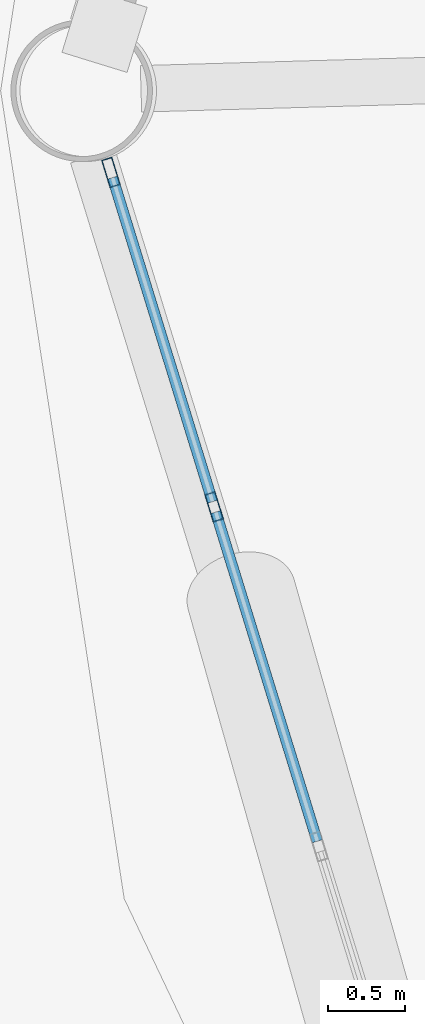
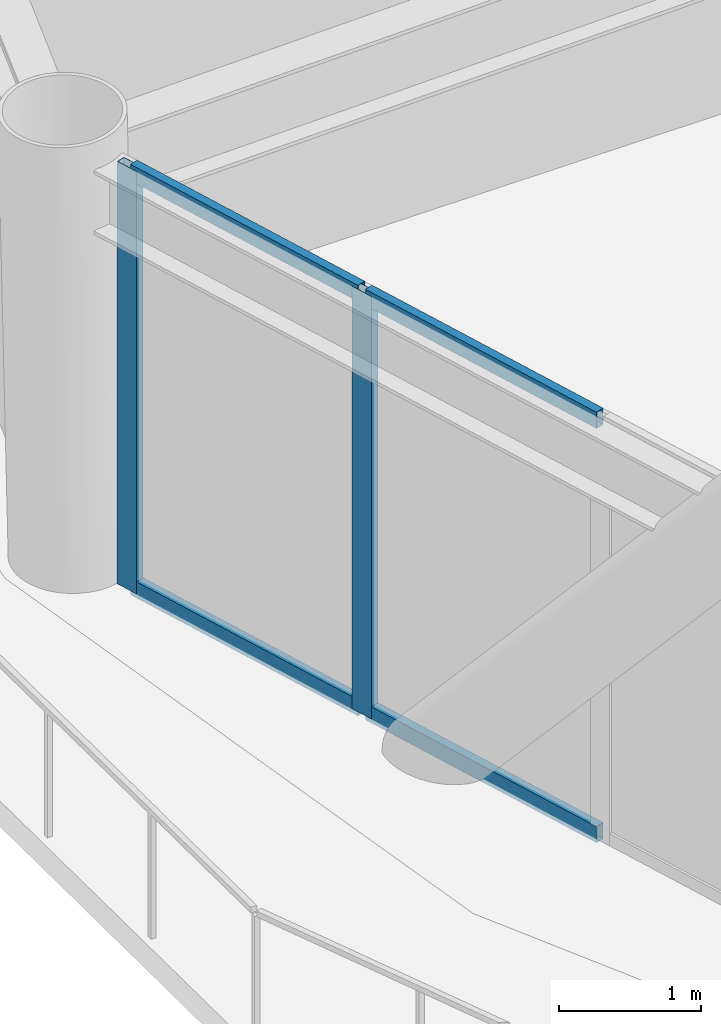
# One storey, part 7 of 22: 6 members, 1 element without a shape of its own.
"""IFC4 building model written with IfcOpenShell, lengths in metres."""

from ifc_helpers import new_model, si_unit, direction, frame, origin, origin_2d, place, context, subcontext, project, spatial, hollow_rectangle, extrude, material, layer, layer_set, material_profile, profile_set, type_object, element, aggregate, save


model = new_model("IFC4")

# Units and contexts
model_context = context("Model", 3, precision=1e-05, world=origin(), true_north=direction((0.0, 1.0)))
body_context = subcontext(model_context, "Body", "Model", "MODEL_VIEW")
ifc_project = project(units=[si_unit("LENGTHUNIT", "METRE"), si_unit("AREAUNIT", "SQUARE_METRE"), si_unit("VOLUMEUNIT", "CUBIC_METRE"), si_unit("PLANEANGLEUNIT", "RADIAN"), si_unit("MASSUNIT", "GRAM", prefix="KILO")], contexts=[model_context])

# Site, building, storey
site_placement = place(None, origin())
site = spatial("IfcSite", under=ifc_project, at=site_placement, CompositionType="ELEMENT")
building_placement = place(site_placement, origin())
building = spatial("IfcBuilding", under=site, at=building_placement, Name="Varnakorn Sky Granary", CompositionType="ELEMENT")
storey_placement = place(building_placement, frame((0.0, 0.0, 66.60009765625)))
storey = spatial("IfcBuildingStorey", under=building, at=storey_placement, Name="L16", CompositionType="ELEMENT", Elevation=66.60009765625)

# Curtain wall, members
ifc_material = material(Name="Anodised Bronze Aluminium Alloy 6063-T6", Category="aluminium")
ifc_layer = layer(ifc_material, 0.18994140625, Name="Anodised Bronze Aluminium Alloy 6063-T6")
ifc_layer_set = layer_set([ifc_layer], Name="Anodised Bronze Aluminium Alloy 6063-T6")
curtain_wall_type = type_object("IfcCurtainWallType", Name="CW-FRM-1", PredefinedType="USERDEFINED", material=ifc_layer_set)
curtain_wall_placement = place(storey_placement, origin())
curtain_wall = element("IfcCurtainWall", 1, at=curtain_wall_placement, inside=storey, type_object=curtain_wall_type, Name="Unitised Curtain Wall CW3 CW-L16-B07", ObjectType="CURTAIN WALL", PredefinedType="USERDEFINED")
ifc_material_profile_1 = material_profile(ifc_material, hollow_rectangle(XDim=0.070068359375, YDim=0.18505859375, WallThickness=0.00390625, at=origin_2d()), Name="ALU MULL 70x185")
ifc_profile_set_1 = profile_set([ifc_material_profile_1], Name="Anodised Bronze Aluminium Alloy 6063-T6")
member_type_1 = type_object("IfcMemberType", Name="CW-FRM-1-MULL", PredefinedType="MULLION", material=ifc_profile_set_1)
member_1_placement = place(storey_placement, frame((-22.27978515625, -2.68798828125, 0.0), z_axis=(0.0, 0.0, 1.0), x_axis=(-0.955563090917, -0.2947866674, 0.0)))
member_1 = element("IfcMember", 2, at=member_1_placement, type_object=member_type_1, Name="CW3 mullion 4", PredefinedType="MULLION", context=body_context, shape_type="SweptSolid", body=[
    extrude(hollow_rectangle(XDim=0.070068359375, YDim=0.18505859375, WallThickness=0.00390625, at=origin_2d()), origin(), (0.0, 0.0, 1.0), 3.639892578125),
])
member_2_placement = place(storey_placement, frame((-22.9462890625, -0.52734375, 0.0), z_axis=(0.0, 0.0, 1.0), x_axis=(-0.955563090917, -0.2947866674, 0.0)))
member_2 = element("IfcMember", 3, at=member_2_placement, type_object=member_type_1, Name="CW3 mullion 5", PredefinedType="MULLION", context=body_context, shape_type="SweptSolid", body=[
    extrude(hollow_rectangle(XDim=0.070068359375, YDim=0.18505859375, WallThickness=0.00390625, at=origin_2d()), origin(), (0.0, 0.0, 1.0), 3.639892578125),
])
ifc_material_profile_2 = material_profile(ifc_material, hollow_rectangle(XDim=0.070068359375, YDim=0.139892578125, WallThickness=0.00341796875, at=origin_2d()), Name="ALU TRAN 70x140")
ifc_profile_set_2 = profile_set([ifc_material_profile_2], Name="Anodised Bronze Aluminium Alloy 6063-T6")
member_type_2 = type_object("IfcMemberType", Name="CW-FRM-1-TRAN", PredefinedType="USERDEFINED", material=ifc_profile_set_2)
member_3_placement = place(storey_placement, frame((-21.61328125, -4.848388671875, 0.034912109375), z_axis=(-0.294825670699, 0.955551057713, 0.0), x_axis=(-0.955551057713, -0.294825670699, 0.0)))
member_3 = element("IfcMember", 4, at=member_3_placement, type_object=member_type_2, Name="CW3 transom 3.1", ObjectType="TRANSOM", PredefinedType="USERDEFINED", context=body_context, shape_type="SweptSolid", body=[
    extrude(hollow_rectangle(XDim=0.070068359375, YDim=0.139892578125, WallThickness=0.00341796875, at=origin_2d()), origin(), (0.0, 0.0, 1.0), 2.225830078125),
])
member_4_placement = place(storey_placement, frame((-21.61328125, -4.848388671875, 3.60498046875), z_axis=(-0.294825670699, 0.955551057713, 0.0), x_axis=(-0.955551057713, -0.294825670699, 0.0)))
member_4 = element("IfcMember", 5, at=member_4_placement, type_object=member_type_2, Name="CW3 transom 3.2", ObjectType="TRANSOM", PredefinedType="USERDEFINED", context=body_context, shape_type="SweptSolid", body=[
    extrude(hollow_rectangle(XDim=0.070068359375, YDim=0.139892578125, WallThickness=0.00341796875, at=origin_2d()), origin(), (0.0, 0.0, 1.0), 2.225830078125),
])
member_5_placement = place(storey_placement, frame((-22.2900390625, -2.654541015625, 0.034912109375), z_axis=(-0.294821746969, 0.955552268332, 0.0), x_axis=(-0.955552268332, -0.294821746969, 0.0)))
member_5 = element("IfcMember", 6, at=member_5_placement, type_object=member_type_2, Name="CW3 transom 4.1", ObjectType="TRANSOM", PredefinedType="USERDEFINED", context=body_context, shape_type="SweptSolid", body=[
    extrude(hollow_rectangle(XDim=0.070068359375, YDim=0.139892578125, WallThickness=0.00341796875, at=origin_2d()), origin(), (0.0, 0.0, 1.0), 2.191162109375),
])
member_6_placement = place(storey_placement, frame((-22.2900390625, -2.654541015625, 3.60498046875), z_axis=(-0.294821746969, 0.955552268332, 0.0), x_axis=(-0.955552268332, -0.294821746969, 0.0)))
member_6 = element("IfcMember", 7, at=member_6_placement, type_object=member_type_2, Name="CW3 transom 4.2", ObjectType="TRANSOM", PredefinedType="USERDEFINED", context=body_context, shape_type="SweptSolid", body=[
    extrude(hollow_rectangle(XDim=0.070068359375, YDim=0.139892578125, WallThickness=0.00341796875, at=origin_2d()), origin(), (0.0, 0.0, 1.0), 2.191162109375),
])
aggregate(curtain_wall, [member_1, member_2, member_3, member_4, member_5, member_6])

save(model, "model.ifc")
